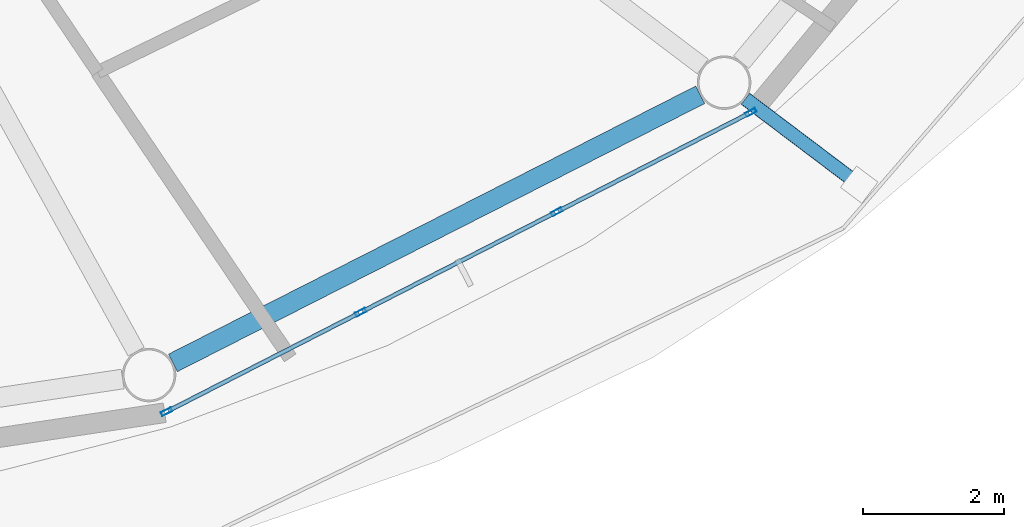
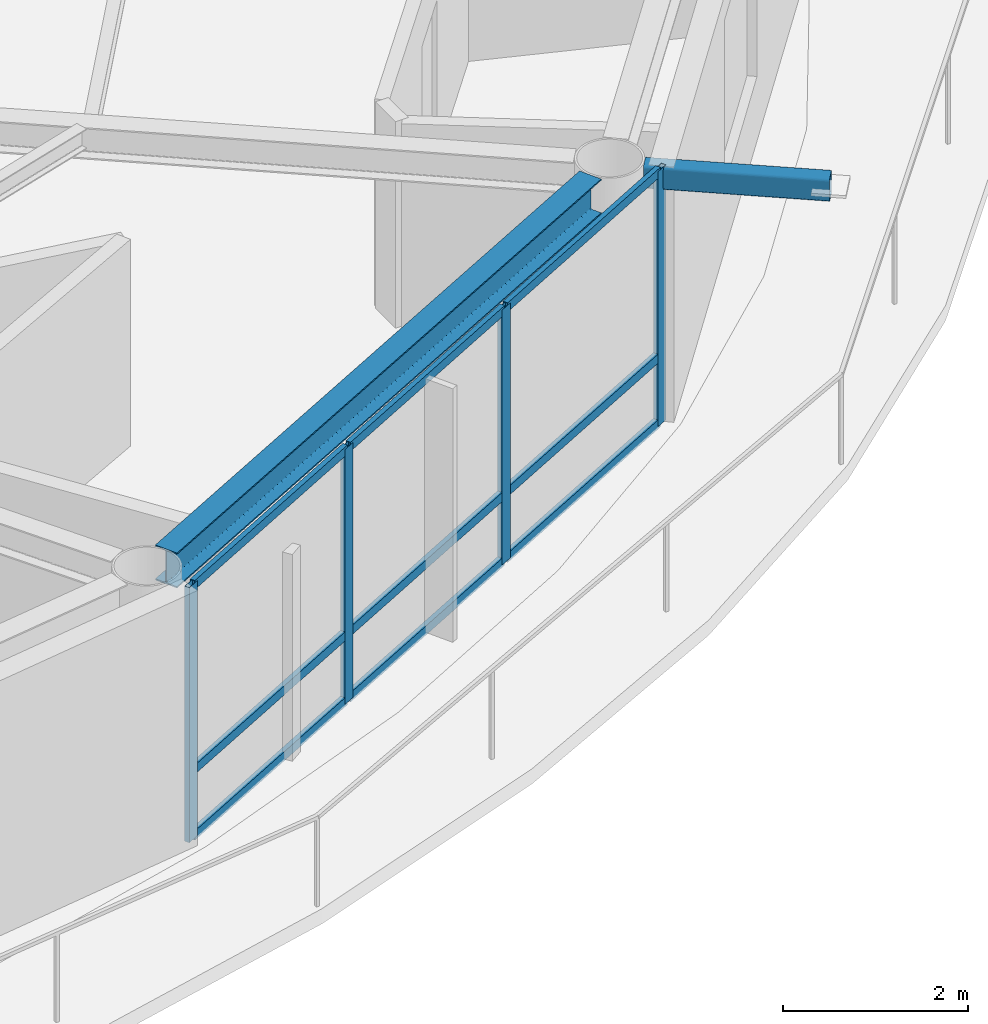
# One storey, part 5 of 22: 14 members, 1 beam, 1 element without a shape of its own.
"""IFC4 building model written with IfcOpenShell, lengths in metres."""

from ifc_helpers import new_model, si_unit, direction, frame, origin, origin_2d, place, context, subcontext, project, spatial, hollow_rectangle, i_section, extrude, material, layer, layer_set, material_profile, profile_set, type_object, element, aggregate, save


model = new_model("IFC4")

# Units and contexts
model_context = context("Model", 3, precision=1e-05, world=origin(), true_north=direction((0.0, 1.0)))
body_context = subcontext(model_context, "Body", "Model", "MODEL_VIEW")
ifc_project = project(units=[si_unit("LENGTHUNIT", "METRE"), si_unit("AREAUNIT", "SQUARE_METRE"), si_unit("VOLUMEUNIT", "CUBIC_METRE"), si_unit("PLANEANGLEUNIT", "RADIAN"), si_unit("MASSUNIT", "GRAM", prefix="KILO")], contexts=[model_context])

# Site, building, storey
site_placement = place(None, origin())
site = spatial("IfcSite", under=ifc_project, at=site_placement, CompositionType="ELEMENT")
building_placement = place(site_placement, origin())
building = spatial("IfcBuilding", under=site, at=building_placement, Name="Sarneth Arch Tower", CompositionType="ELEMENT")
storey_placement = place(building_placement, frame((0.0, 0.0, 283.800048828125)))
storey = spatial("IfcBuildingStorey", under=building, at=storey_placement, Name="L73", CompositionType="ELEMENT", Elevation=283.800048828125)

# Beam
ifc_material_1 = material(Name="Steel S355", Category="steel")
ifc_material_profile_1 = material_profile(ifc_material_1, i_section(OverallWidth=0.280029296875, OverallDepth=0.462890625, WebThickness=0.0107421875, FlangeThickness=0.017333984375, FilletRadius=0.01806640625, at=origin_2d()), Name="W460x113")
ifc_profile_set_1 = profile_set([ifc_material_profile_1], Name="Steel S355")
beam_type = type_object("IfcBeamType", Name="BM-RAD-460A", PredefinedType="BEAM", material=ifc_profile_set_1)
beam_placement = place(storey_placement, frame((58.13037109375, 24.434326171875, 3.138427734375), z_axis=(0.891373613492, 0.453269325204, 0.0), x_axis=(-0.453269325204, 0.891373613492, 0.0)))
element("IfcBeam", 1, at=beam_placement, inside=storey, type_object=beam_type, Name="L73 Perimeter spandrel beam 14", PredefinedType="BEAM", context=body_context, shape_type="SweptSolid", body=[
    extrude(i_section(OverallWidth=0.280029296875, OverallDepth=0.462890625, WebThickness=0.0107421875, FlangeThickness=0.017333984375, FilletRadius=0.01806640625, at=origin_2d()), origin(), (0.0, 0.0, 1.0), 8.419677734375),
])

# Curtain wall, members
ifc_material_2 = material(Name="Anodised aluminium Type AA25 and solar-control low-e laminated IGU", Category="aluminium")
ifc_layer = layer(ifc_material_2, 0.179931640625)
ifc_layer_set = layer_set([ifc_layer], Name="Anodised aluminium Type AA25 and solar-control low-e laminated IGU")
curtain_wall_type = type_object("IfcCurtainWallType", Name="CW-RES-HIGH", PredefinedType="NOTDEFINED", material=ifc_layer_set)
curtain_wall_placement = place(storey_placement, origin())
curtain_wall = element("IfcCurtainWall", 2, at=curtain_wall_placement, inside=storey, type_object=curtain_wall_type, Name="L73 Unitised curtain wall facet 14", PredefinedType="NOTDEFINED")
ifc_material_3 = material(Name="Anodised Aluminium 6063-T6", Category="aluminium")
ifc_material_profile_2 = material_profile(ifc_material_3, hollow_rectangle(XDim=0.06005859375, YDim=0.159912109375, WallThickness=0.00390625, at=origin_2d()), Name="AL-MULL-160x60x4")
ifc_profile_set_2 = profile_set([ifc_material_profile_2], Name="Anodised Aluminium 6063-T6")
member_type_1 = type_object("IfcMemberType", Name="CW-MULLION", PredefinedType="MULLION", material=ifc_profile_set_2)
member_1_placement = place(storey_placement, frame((58.039306640625, 23.7392578125, 0.0), z_axis=(0.0, 0.0, 1.0), x_axis=(-0.455941901753, 0.890009540525, 0.0)))
member_1 = element("IfcMember", 3, at=member_1_placement, type_object=member_type_1, Name="CW-SYS-6 mullion 1", PredefinedType="MULLION", context=body_context, shape_type="SweptSolid", body=[
    extrude(hollow_rectangle(XDim=0.06005859375, YDim=0.159912109375, WallThickness=0.00390625, at=origin_2d()), origin(), (0.0, 0.0, 1.0), 3.369873046875),
])
member_2_placement = place(storey_placement, frame((60.802490234375, 25.155029296875, 0.0), z_axis=(0.0, 0.0, 1.0), x_axis=(-0.455941901753, 0.890009540525, 0.0)))
member_2 = element("IfcMember", 4, at=member_2_placement, type_object=member_type_1, Name="CW-SYS-6 mullion 2", PredefinedType="MULLION", context=body_context, shape_type="SweptSolid", body=[
    extrude(hollow_rectangle(XDim=0.06005859375, YDim=0.159912109375, WallThickness=0.00390625, at=origin_2d()), origin(), (0.0, 0.0, 1.0), 3.369873046875),
])
member_3_placement = place(storey_placement, frame((63.592529296875, 26.584228515625, 0.0), z_axis=(0.0, 0.0, 1.0), x_axis=(-0.455941901753, 0.890009540525, 0.0)))
member_3 = element("IfcMember", 5, at=member_3_placement, type_object=member_type_1, Name="CW-SYS-6 mullion 3", PredefinedType="MULLION", context=body_context, shape_type="SweptSolid", body=[
    extrude(hollow_rectangle(XDim=0.06005859375, YDim=0.159912109375, WallThickness=0.00390625, at=origin_2d()), origin(), (0.0, 0.0, 1.0), 3.369873046875),
])
member_4_placement = place(storey_placement, frame((66.355712890625, 27.999755859375, 0.0), z_axis=(0.0, 0.0, 1.0), x_axis=(-0.455941901753, 0.890009540525, 0.0)))
member_4 = element("IfcMember", 6, at=member_4_placement, type_object=member_type_1, Name="CW-SYS-6 mullion 4", PredefinedType="MULLION", context=body_context, shape_type="SweptSolid", body=[
    extrude(hollow_rectangle(XDim=0.06005859375, YDim=0.159912109375, WallThickness=0.00390625, at=origin_2d()), origin(), (0.0, 0.0, 1.0), 3.369873046875),
])
ifc_material_4 = material(Name="Anodised Aluminium 6063-T6", Category="aluminium")
ifc_material_profile_3 = material_profile(ifc_material_4, hollow_rectangle(XDim=0.06005859375, YDim=0.1201171875, WallThickness=0.00390625, at=origin_2d()), Name="AL-TRAN-120x60x4")
ifc_profile_set_3 = profile_set([ifc_material_profile_3], Name="Anodised Aluminium 6063-T6")
member_type_2 = type_object("IfcMemberType", Name="CW-TRANSOM", PredefinedType="USERDEFINED", material=ifc_profile_set_3)
member_5_placement = place(storey_placement, frame((58.066162109375, 23.7529296875, 0.030029296875), z_axis=(0.889973523166, 0.456012201662, 0.0), x_axis=(-0.456012201662, 0.889973523166, 0.0)))
member_5 = element("IfcMember", 7, at=member_5_placement, type_object=member_type_2, Name="CW-SYS-6 transom 1.1", ObjectType="TRANSOM", PredefinedType="USERDEFINED", context=body_context, shape_type="SweptSolid", body=[
    extrude(hollow_rectangle(XDim=0.06005859375, YDim=0.1201171875, WallThickness=0.00390625, at=origin_2d()), origin(), (0.0, 0.0, 1.0), 3.044677734375),
])
member_6_placement = place(storey_placement, frame((58.066162109375, 23.7529296875, 0.89990234375), z_axis=(0.889973523166, 0.456012201662, 0.0), x_axis=(-0.456012201662, 0.889973523166, 0.0)))
member_6 = element("IfcMember", 8, at=member_6_placement, type_object=member_type_2, Name="CW-SYS-6 transom 1.2", ObjectType="TRANSOM", PredefinedType="USERDEFINED", context=body_context, shape_type="SweptSolid", body=[
    extrude(hollow_rectangle(XDim=0.06005859375, YDim=0.1201171875, WallThickness=0.00390625, at=origin_2d()), origin(), (0.0, 0.0, 1.0), 3.044677734375),
])
member_7_placement = place(storey_placement, frame((58.066162109375, 23.7529296875, 3.33984375), z_axis=(0.889973523166, 0.456012201662, 0.0), x_axis=(-0.456012201662, 0.889973523166, 0.0)))
member_7 = element("IfcMember", 9, at=member_7_placement, type_object=member_type_2, Name="CW-SYS-6 transom 1.3", ObjectType="TRANSOM", PredefinedType="USERDEFINED", context=body_context, shape_type="SweptSolid", body=[
    extrude(hollow_rectangle(XDim=0.06005859375, YDim=0.1201171875, WallThickness=0.00390625, at=origin_2d()), origin(), (0.0, 0.0, 1.0), 3.044677734375),
])
member_8_placement = place(storey_placement, frame((60.829345703125, 25.168701171875, 0.030029296875), z_axis=(0.890017432405, 0.455926496286, 0.0), x_axis=(-0.455926496286, 0.890017432405, 0.0)))
member_8 = element("IfcMember", 10, at=member_8_placement, type_object=member_type_2, Name="CW-SYS-6 transom 2.1", ObjectType="TRANSOM", PredefinedType="USERDEFINED", context=body_context, shape_type="SweptSolid", body=[
    extrude(hollow_rectangle(XDim=0.06005859375, YDim=0.1201171875, WallThickness=0.00390625, at=origin_2d()), origin(), (0.0, 0.0, 1.0), 3.07470703125),
])
member_9_placement = place(storey_placement, frame((60.829345703125, 25.168701171875, 0.89990234375), z_axis=(0.890017432405, 0.455926496286, 0.0), x_axis=(-0.455926496286, 0.890017432405, 0.0)))
member_9 = element("IfcMember", 11, at=member_9_placement, type_object=member_type_2, Name="CW-SYS-6 transom 2.2", ObjectType="TRANSOM", PredefinedType="USERDEFINED", context=body_context, shape_type="SweptSolid", body=[
    extrude(hollow_rectangle(XDim=0.06005859375, YDim=0.1201171875, WallThickness=0.00390625, at=origin_2d()), origin(), (0.0, 0.0, 1.0), 3.07470703125),
])
member_10_placement = place(storey_placement, frame((60.829345703125, 25.168701171875, 3.33984375), z_axis=(0.890017432405, 0.455926496286, 0.0), x_axis=(-0.455926496286, 0.890017432405, 0.0)))
member_10 = element("IfcMember", 12, at=member_10_placement, type_object=member_type_2, Name="CW-SYS-6 transom 2.3", ObjectType="TRANSOM", PredefinedType="USERDEFINED", context=body_context, shape_type="SweptSolid", body=[
    extrude(hollow_rectangle(XDim=0.06005859375, YDim=0.1201171875, WallThickness=0.00390625, at=origin_2d()), origin(), (0.0, 0.0, 1.0), 3.07470703125),
])
member_11_placement = place(storey_placement, frame((63.619140625, 26.597900390625, 0.030029296875), z_axis=(0.890022732705, 0.455916149384, 0.0), x_axis=(-0.455916149384, 0.890022732705, 0.0)))
member_11 = element("IfcMember", 13, at=member_11_placement, type_object=member_type_2, Name="CW-SYS-6 transom 3.1", ObjectType="TRANSOM", PredefinedType="USERDEFINED", context=body_context, shape_type="SweptSolid", body=[
    extrude(hollow_rectangle(XDim=0.06005859375, YDim=0.1201171875, WallThickness=0.00390625, at=origin_2d()), origin(), (0.0, 0.0, 1.0), 3.044921875),
])
member_12_placement = place(storey_placement, frame((63.619140625, 26.597900390625, 0.89990234375), z_axis=(0.890022732705, 0.455916149384, 0.0), x_axis=(-0.455916149384, 0.890022732705, 0.0)))
member_12 = element("IfcMember", 14, at=member_12_placement, type_object=member_type_2, Name="CW-SYS-6 transom 3.2", ObjectType="TRANSOM", PredefinedType="USERDEFINED", context=body_context, shape_type="SweptSolid", body=[
    extrude(hollow_rectangle(XDim=0.06005859375, YDim=0.1201171875, WallThickness=0.00390625, at=origin_2d()), origin(), (0.0, 0.0, 1.0), 3.044921875),
])
member_13_placement = place(storey_placement, frame((63.619140625, 26.597900390625, 3.33984375), z_axis=(0.890022732705, 0.455916149384, 0.0), x_axis=(-0.455916149384, 0.890022732705, 0.0)))
member_13 = element("IfcMember", 15, at=member_13_placement, type_object=member_type_2, Name="CW-SYS-6 transom 3.3", ObjectType="TRANSOM", PredefinedType="USERDEFINED", context=body_context, shape_type="SweptSolid", body=[
    extrude(hollow_rectangle(XDim=0.06005859375, YDim=0.1201171875, WallThickness=0.00390625, at=origin_2d()), origin(), (0.0, 0.0, 1.0), 3.044921875),
])
aggregate(curtain_wall, [member_1, member_2, member_3, member_4, member_5, member_6, member_7, member_8, member_9, member_10, member_11, member_12, member_13])

# Member
ifc_material_5 = material(Name="Steel S355", Category="steel")
ifc_material_profile_4 = material_profile(ifc_material_5, hollow_rectangle(XDim=0.199951171875, YDim=0.300048828125, WallThickness=0.012451171875, InnerFilletRadius=0.018798828125, OuterFilletRadius=0.03125, at=origin_2d()), Name="RHS300x200x12.5")
ifc_profile_set_4 = profile_set([ifc_material_profile_4], Name="Steel S355")
member_type_3 = type_object("IfcMemberType", Name="MEM-CANT-STRUT", PredefinedType="STRUT", material=ifc_profile_set_4)
member_14_placement = place(storey_placement, frame((66.279296875, 28.19384765625, 3.2099609375), z_axis=(0.797930342302, -0.602749673442, 0.0), x_axis=(0.602749673442, 0.797930342302, 0.0)))
element("IfcMember", 16, at=member_14_placement, inside=storey, type_object=member_type_3, Name="L73 Balcony cantilever bracket 15", PredefinedType="STRUT", context=body_context, shape_type="SweptSolid", body=[
    extrude(hollow_rectangle(XDim=0.199951171875, YDim=0.300048828125, WallThickness=0.012451171875, InnerFilletRadius=0.018798828125, OuterFilletRadius=0.03125, at=origin_2d()), origin(), (0.0, 0.0, 1.0), 2.02880859375),
])

save(model, "model.ifc")
